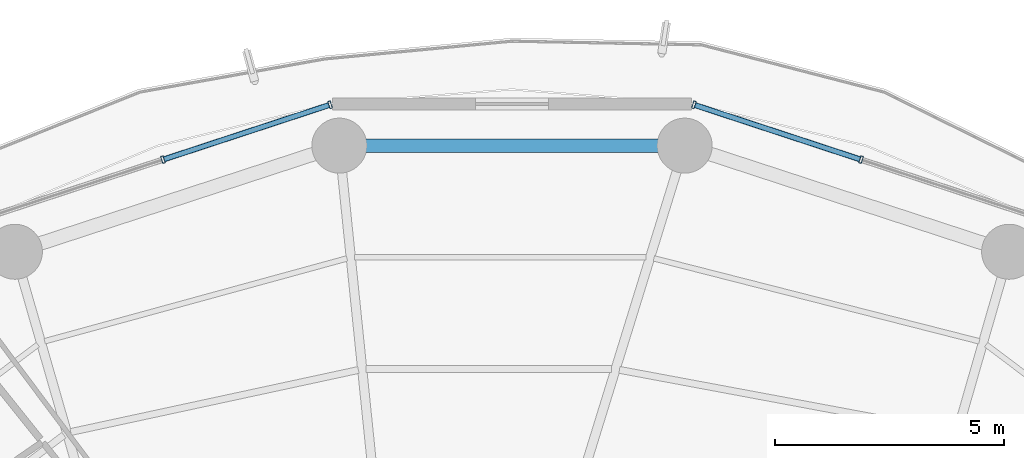
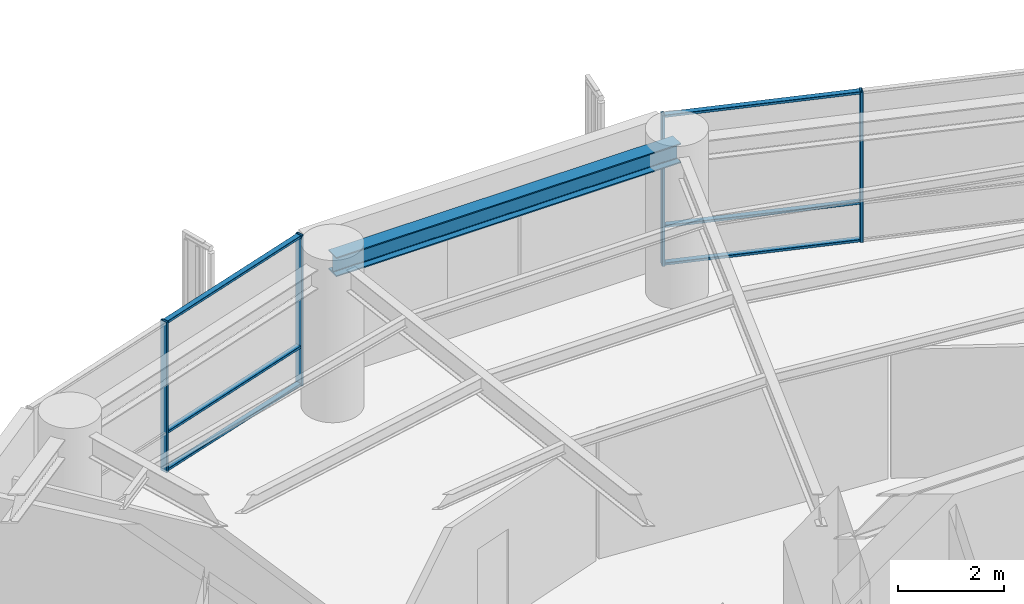
# One storey, part 18 of 27: 10 members, 1 beam, 2 elements without a shape of their own.
"""IFC4 building model written with IfcOpenShell, lengths in metres."""

from ifc_helpers import new_model, si_unit, direction, frame, origin, origin_2d, place, context, subcontext, project, spatial, hollow_rectangle, i_section, extrude, material, layer, layer_set, material_profile, profile_set, type_object, element, aggregate, save


model = new_model("IFC4")

# Units and contexts
model_context = context("Model", 3, precision=1e-05, world=origin(), true_north=direction((0.0, 1.0)))
body_context = subcontext(model_context, "Body", "Model", "MODEL_VIEW")
ifc_project = project(units=[si_unit("LENGTHUNIT", "METRE"), si_unit("AREAUNIT", "SQUARE_METRE"), si_unit("VOLUMEUNIT", "CUBIC_METRE"), si_unit("PLANEANGLEUNIT", "RADIAN"), si_unit("MASSUNIT", "GRAM", prefix="KILO")], contexts=[model_context])

# Site, building, storey
site_placement = place(None, origin())
site = spatial("IfcSite", under=ifc_project, at=site_placement, CompositionType="ELEMENT")
building_placement = place(site_placement, origin())
building = spatial("IfcBuilding", under=site, at=building_placement, Name="Kelanora Arch Commons", CompositionType="ELEMENT")
storey_placement = place(building_placement, frame((0.0, 0.0, 173.10009765625)))
storey = spatial("IfcBuildingStorey", under=building, at=storey_placement, Name="L44", CompositionType="ELEMENT", Elevation=173.10009765625)

# Beam
ifc_material_1 = material(Name="Steel S355", Category="steel")
ifc_material_profile_1 = material_profile(ifc_material_1, i_section(OverallWidth=0.300048828125, OverallDepth=0.449951171875, WebThickness=0.013916015625, FlangeThickness=0.02587890625, FilletRadius=0.027099609375, at=origin_2d()), Name="HEB450")
ifc_profile_set_1 = profile_set([ifc_material_profile_1], Name="Steel S355")
beam_type = type_object("IfcBeamType", Name="BM-SPN-Z3", PredefinedType="SPANDREL", material=ifc_profile_set_1)
beam_placement = place(storey_placement, frame((77.7646484375, 77.18408203125, 3.264892578125), z_axis=(-1.0, 0.0, 0.0), x_axis=(0.0, -1.0, 0.0)))
element("IfcBeam", 1, at=beam_placement, inside=storey, type_object=beam_type, Name="Perimeter Spandrel Beam BS-08 L44", PredefinedType="SPANDREL", context=body_context, shape_type="SweptSolid", body=[
    extrude(i_section(OverallWidth=0.300048828125, OverallDepth=0.449951171875, WebThickness=0.013916015625, FlangeThickness=0.02587890625, FilletRadius=0.027099609375, at=origin_2d()), origin(), (0.0, 0.0, 1.0), 7.529296875),
])

# Curtain wall, members
ifc_material_2 = material(Name="Terracotta ceramic-fritted low-E glass and aluminium", Category="masonry")
ifc_layer = layer(ifc_material_2, 0.175048828125)
ifc_layer_set = layer_set([ifc_layer], Name="Terracotta ceramic-fritted low-E glass and aluminium")
curtain_wall_type = type_object("IfcCurtainWallType", Name="CW-SYS-02", PredefinedType="NOTDEFINED", material=ifc_layer_set)
curtain_wall_1_placement = place(storey_placement, origin())
curtain_wall_1 = element("IfcCurtainWall", 2, at=curtain_wall_1_placement, inside=storey, type_object=curtain_wall_type, Name="Unitised Curtain Wall L44-B03", PredefinedType="NOTDEFINED")
ifc_material_3 = material(Name="Powder-coated aluminium terracotta", Category="masonry")
ifc_material_profile_2 = material_profile(ifc_material_3, hollow_rectangle(XDim=0.159912109375, YDim=0.06005859375, WallThickness=0.0048828125, InnerFilletRadius=0.0048828125, OuterFilletRadius=0.010009765625, at=origin_2d()), Name="CWM160x60")
ifc_profile_set_2 = profile_set([ifc_material_profile_2], Name="Powder-coated aluminium terracotta")
member_type_1 = type_object("IfcMemberType", Name="CWM-STD", PredefinedType="MULLION", material=ifc_profile_set_2)
member_1_placement = place(storey_placement, frame((81.6123046875, 76.87841796875, 0.0), z_axis=(0.0, 0.0, 1.0), x_axis=(-0.312128279571, -0.95003996605, 0.0)))
member_1 = element("IfcMember", 3, at=member_1_placement, type_object=member_type_1, Name="CW-02 mullion 2", PredefinedType="MULLION", context=body_context, shape_type="SweptSolid", body=[
    extrude(hollow_rectangle(XDim=0.159912109375, YDim=0.06005859375, WallThickness=0.0048828125, InnerFilletRadius=0.0048828125, OuterFilletRadius=0.010009765625, at=origin_2d()), origin(), (0.0, 0.0, 1.0), 3.474853515625),
])
member_2_placement = place(storey_placement, frame((77.96728515625, 78.075927734375, 0.0), z_axis=(0.0, 0.0, 1.0), x_axis=(-0.312128279571, -0.95003996605, 0.0)))
member_2 = element("IfcMember", 4, at=member_2_placement, type_object=member_type_1, Name="CW-02 mullion 3", PredefinedType="MULLION", context=body_context, shape_type="SweptSolid", body=[
    extrude(hollow_rectangle(XDim=0.159912109375, YDim=0.06005859375, WallThickness=0.0048828125, InnerFilletRadius=0.0048828125, OuterFilletRadius=0.010009765625, at=origin_2d()), origin(), (0.0, 0.0, 1.0), 3.474853515625),
])

curtain_wall_2_placement = place(storey_placement, origin())
curtain_wall_2 = element("IfcCurtainWall", 5, at=curtain_wall_2_placement, inside=storey, type_object=curtain_wall_type, Name="Unitised Curtain Wall L44-B05", PredefinedType="NOTDEFINED")
member_3_placement = place(storey_placement, frame((70.03271484375, 78.075927734375, 0.0), z_axis=(0.0, 0.0, 1.0), x_axis=(0.312128279571, -0.95003996605, 0.0)))
member_3 = element("IfcMember", 6, at=member_3_placement, type_object=member_type_1, Name="CW-02 mullion 1", PredefinedType="MULLION", context=body_context, shape_type="SweptSolid", body=[
    extrude(hollow_rectangle(XDim=0.159912109375, YDim=0.06005859375, WallThickness=0.0048828125, InnerFilletRadius=0.0048828125, OuterFilletRadius=0.010009765625, at=origin_2d()), origin(), (0.0, 0.0, 1.0), 3.474853515625),
])
member_4_placement = place(storey_placement, frame((66.3876953125, 76.87841796875, 0.0), z_axis=(0.0, 0.0, 1.0), x_axis=(0.312128279571, -0.95003996605, 0.0)))
member_4 = element("IfcMember", 7, at=member_4_placement, type_object=member_type_1, Name="CW-02 mullion 2", PredefinedType="MULLION", context=body_context, shape_type="SweptSolid", body=[
    extrude(hollow_rectangle(XDim=0.159912109375, YDim=0.06005859375, WallThickness=0.0048828125, InnerFilletRadius=0.0048828125, OuterFilletRadius=0.010009765625, at=origin_2d()), origin(), (0.0, 0.0, 1.0), 3.474853515625),
])

# Member
ifc_material_profile_3 = material_profile(ifc_material_3, hollow_rectangle(XDim=0.1201171875, YDim=0.06005859375, WallThickness=0.0048828125, InnerFilletRadius=0.0048828125, OuterFilletRadius=0.010009765625, at=origin_2d()), Name="CWT120x60")
ifc_profile_set_3 = profile_set([ifc_material_profile_3], Name="Powder-coated aluminium terracotta")
member_type_2 = type_object("IfcMemberType", Name="CWT-STD", PredefinedType="USERDEFINED", material=ifc_profile_set_3)
member_5_placement = place(storey_placement, frame((81.583740234375, 76.887939453125, 0.02978515625), z_axis=(-0.950051191155, 0.312094111104, 0.0), x_axis=(-0.312094111104, -0.950051191155, 0.0)))
member_5 = element("IfcMember", 8, at=member_5_placement, type_object=member_type_2, Name="CW-02 transom 2.1", ObjectType="TRANSOM", PredefinedType="USERDEFINED", context=body_context, shape_type="SweptSolid", body=[
    extrude(hollow_rectangle(XDim=0.1201171875, YDim=0.06005859375, WallThickness=0.0048828125, InnerFilletRadius=0.0048828125, OuterFilletRadius=0.010009765625, at=origin_2d()), origin(), (0.0, 0.0, 1.0), 3.77685546875),
])

member_6_placement = place(storey_placement, frame((81.583740234375, 76.887939453125, 0.89990234375), z_axis=(-0.950051191155, 0.312094111104, 0.0), x_axis=(-0.312094111104, -0.950051191155, 0.0)))
member_6 = element("IfcMember", 9, at=member_6_placement, type_object=member_type_2, Name="CW-02 transom 2.2", ObjectType="TRANSOM", PredefinedType="USERDEFINED", context=body_context, shape_type="SweptSolid", body=[
    extrude(hollow_rectangle(XDim=0.1201171875, YDim=0.06005859375, WallThickness=0.0048828125, InnerFilletRadius=0.0048828125, OuterFilletRadius=0.010009765625, at=origin_2d()), origin(), (0.0, 0.0, 1.0), 3.77685546875),
])

member_7_placement = place(storey_placement, frame((81.583740234375, 76.887939453125, 3.44482421875), z_axis=(-0.950051191155, 0.312094111104, 0.0), x_axis=(-0.312094111104, -0.950051191155, 0.0)))
member_7 = element("IfcMember", 10, at=member_7_placement, type_object=member_type_2, Name="CW-02 transom 2.3", ObjectType="TRANSOM", PredefinedType="USERDEFINED", context=body_context, shape_type="SweptSolid", body=[
    extrude(hollow_rectangle(XDim=0.1201171875, YDim=0.06005859375, WallThickness=0.0048828125, InnerFilletRadius=0.0048828125, OuterFilletRadius=0.010009765625, at=origin_2d()), origin(), (0.0, 0.0, 1.0), 3.77685546875),
])

aggregate(curtain_wall_1, [member_1, member_2, member_5, member_6, member_7])

member_8_placement = place(storey_placement, frame((70.00439453125, 78.066650390625, 0.02978515625), z_axis=(-0.950051191155, -0.312094111104, 0.0), x_axis=(0.312094111104, -0.950051191155, 0.0)))
member_8 = element("IfcMember", 11, at=member_8_placement, type_object=member_type_2, Name="CW-02 transom 1.1", ObjectType="TRANSOM", PredefinedType="USERDEFINED", context=body_context, shape_type="SweptSolid", body=[
    extrude(hollow_rectangle(XDim=0.1201171875, YDim=0.06005859375, WallThickness=0.0048828125, InnerFilletRadius=0.0048828125, OuterFilletRadius=0.010009765625, at=origin_2d()), origin(), (0.0, 0.0, 1.0), 3.77685546875),
])

member_9_placement = place(storey_placement, frame((70.00439453125, 78.066650390625, 0.89990234375), z_axis=(-0.950051191155, -0.312094111104, 0.0), x_axis=(0.312094111104, -0.950051191155, 0.0)))
member_9 = element("IfcMember", 12, at=member_9_placement, type_object=member_type_2, Name="CW-02 transom 1.2", ObjectType="TRANSOM", PredefinedType="USERDEFINED", context=body_context, shape_type="SweptSolid", body=[
    extrude(hollow_rectangle(XDim=0.1201171875, YDim=0.06005859375, WallThickness=0.0048828125, InnerFilletRadius=0.0048828125, OuterFilletRadius=0.010009765625, at=origin_2d()), origin(), (0.0, 0.0, 1.0), 3.77685546875),
])

member_10_placement = place(storey_placement, frame((70.00439453125, 78.066650390625, 3.44482421875), z_axis=(-0.950051191155, -0.312094111104, 0.0), x_axis=(0.312094111104, -0.950051191155, 0.0)))
member_10 = element("IfcMember", 13, at=member_10_placement, type_object=member_type_2, Name="CW-02 transom 1.3", ObjectType="TRANSOM", PredefinedType="USERDEFINED", context=body_context, shape_type="SweptSolid", body=[
    extrude(hollow_rectangle(XDim=0.1201171875, YDim=0.06005859375, WallThickness=0.0048828125, InnerFilletRadius=0.0048828125, OuterFilletRadius=0.010009765625, at=origin_2d()), origin(), (0.0, 0.0, 1.0), 3.77685546875),
])

aggregate(curtain_wall_2, [member_3, member_4, member_8, member_9, member_10])

save(model, "model.ifc")
